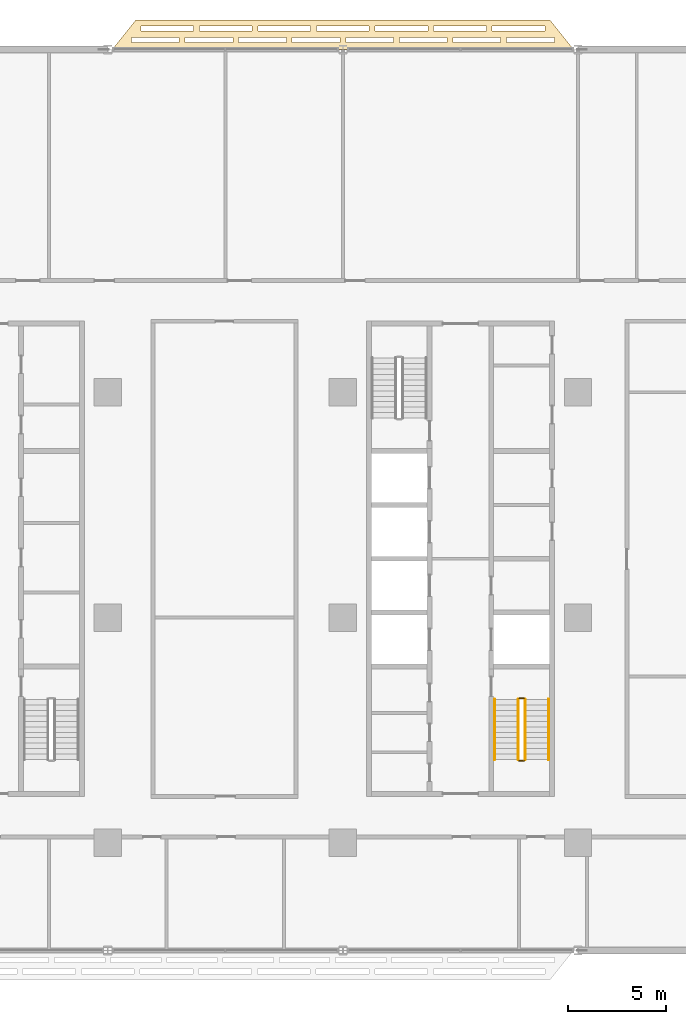
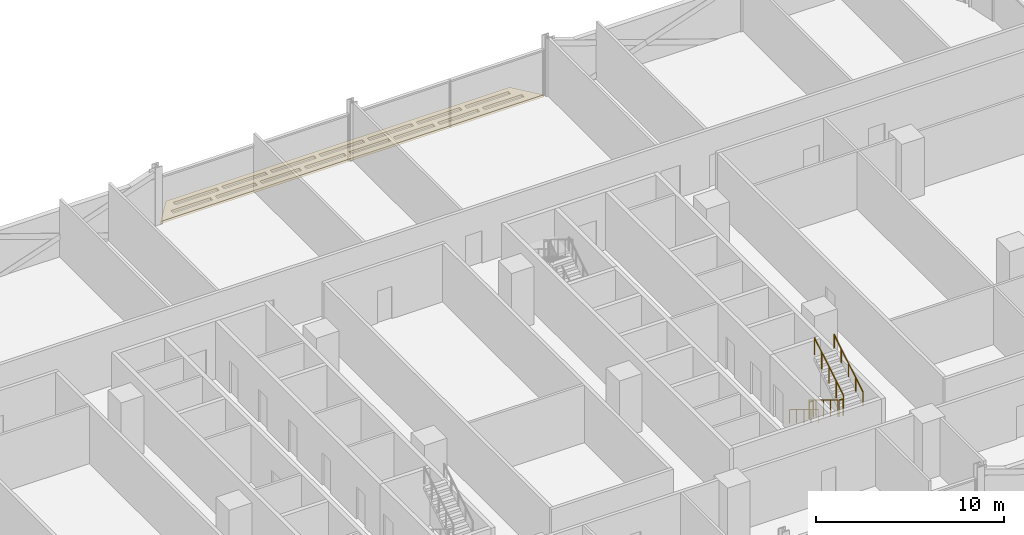
# One storey, part 28 of 29: 6 railings, 1 covering.
"""IFC4 building model written with IfcOpenShell, lengths in metres."""

from ifc_helpers import new_model, si_unit, direction, frame, origin, origin_2d, place, context, subcontext, project, spatial, polyline, circle, outline, extrude, material, layer, layer_set, type_object, element, save


model = new_model("IFC4")

# Units and contexts
model_context = context("Model", 3, precision=1e-05, world=origin(), true_north=direction((0.0, 1.0)))
body_context = subcontext(model_context, "Body", "Model", "MODEL_VIEW")
ifc_project = project(units=[si_unit("LENGTHUNIT", "METRE"), si_unit("AREAUNIT", "SQUARE_METRE"), si_unit("VOLUMEUNIT", "CUBIC_METRE"), si_unit("PLANEANGLEUNIT", "RADIAN"), si_unit("MASSUNIT", "GRAM", prefix="KILO")], contexts=[model_context])

# Site, building, storey
site_placement = place(None, origin())
site = spatial("IfcSite", under=ifc_project, at=site_placement, CompositionType="ELEMENT")
building_placement = place(site_placement, origin())
building = spatial("IfcBuilding", under=site, at=building_placement, Name="Mahtab Terrace Research Tower", CompositionType="ELEMENT")
storey_placement = place(building_placement, frame((0.0, 0.0, 88.89990234375)))
storey = spatial("IfcBuildingStorey", under=building, at=storey_placement, Name="L20", CompositionType="ELEMENT", Elevation=88.89990234375)

# Covering
ifc_material_1 = material(Name="Black anodised aluminium", Category="aluminium")
ifc_layer = layer(ifc_material_1, 0.14990234375)
ifc_layer_set = layer_set([ifc_layer], Name="Horizontal sunshade band")
covering_type = type_object("IfcCoveringType", Name="Horizontal sunshade band", PredefinedType="CLADDING", material=ifc_layer_set)
covering_placement = place(storey_placement, frame((0.0, 0.0, -0.14990234375)))
element("IfcCovering", 1, at=covering_placement, inside=storey, type_object=covering_type, Name="Sunshade band L20 5", PredefinedType="CLADDING", context=body_context, shape_type="SweptSolid", body=[
    extrude(outline(polyline([(29.77197265625, 29.0), (6.22802734375, 29.0), (7.427978515625, 30.5), (28.572021484375, 30.5), (29.77197265625, 29.0)]), holes=[polyline([(28.7919921875, 29.35009765625), (26.35595703125, 29.35009765625), (26.35595703125, 29.60009765625), (28.7919921875, 29.60009765625), (28.7919921875, 29.35009765625)]), polyline([(26.055908203125, 29.35009765625), (23.62109375, 29.35009765625), (23.62109375, 29.60009765625), (26.055908203125, 29.60009765625), (26.055908203125, 29.35009765625)]), polyline([(23.321044921875, 29.35009765625), (20.885009765625, 29.35009765625), (20.885009765625, 29.60009765625), (23.321044921875, 29.60009765625), (23.321044921875, 29.35009765625)]), polyline([(20.5849609375, 29.35009765625), (18.14990234375, 29.35009765625), (18.14990234375, 29.60009765625), (20.5849609375, 29.60009765625), (20.5849609375, 29.35009765625)]), polyline([(17.85009765625, 29.35009765625), (15.4150390625, 29.35009765625), (15.4150390625, 29.60009765625), (17.85009765625, 29.60009765625), (17.85009765625, 29.35009765625)]), polyline([(15.114013671875, 29.35009765625), (12.678955078125, 29.35009765625), (12.678955078125, 29.60009765625), (15.114013671875, 29.60009765625), (15.114013671875, 29.35009765625)]), polyline([(12.37890625, 29.35009765625), (9.944091796875, 29.35009765625), (9.944091796875, 29.60009765625), (12.37890625, 29.60009765625), (12.37890625, 29.35009765625)]), polyline([(9.64404296875, 29.35009765625), (7.2080078125, 29.35009765625), (7.2080078125, 29.60009765625), (9.64404296875, 29.60009765625), (9.64404296875, 29.35009765625)]), polyline([(28.31201171875, 29.949951171875), (25.623046875, 29.949951171875), (25.623046875, 30.199951171875), (28.31201171875, 30.199951171875), (28.31201171875, 29.949951171875)]), polyline([(25.322998046875, 29.949951171875), (22.634033203125, 29.949951171875), (22.634033203125, 30.199951171875), (25.322998046875, 30.199951171875), (25.322998046875, 29.949951171875)]), polyline([(22.333984375, 29.949951171875), (19.64501953125, 29.949951171875), (19.64501953125, 30.199951171875), (22.333984375, 30.199951171875), (22.333984375, 29.949951171875)]), polyline([(19.344970703125, 29.949951171875), (16.655029296875, 29.949951171875), (16.655029296875, 30.199951171875), (19.344970703125, 30.199951171875), (19.344970703125, 29.949951171875)]), polyline([(16.35498046875, 29.949951171875), (13.666015625, 29.949951171875), (13.666015625, 30.199951171875), (16.35498046875, 30.199951171875), (16.35498046875, 29.949951171875)]), polyline([(13.365966796875, 29.949951171875), (10.677001953125, 29.949951171875), (10.677001953125, 30.199951171875), (13.365966796875, 30.199951171875), (13.365966796875, 29.949951171875)]), polyline([(10.376953125, 29.949951171875), (7.68798828125, 29.949951171875), (7.68798828125, 30.199951171875), (10.376953125, 30.199951171875), (10.376953125, 29.949951171875)])]), origin(), (0.0, 0.0, 1.0), 0.14990234375),
])

# Railings
ifc_material_2 = material(Name="Stainless steel AISI 304", Category="steel")
railing_type_1 = type_object("IfcRailingType", Name="Stair guard 1100", PredefinedType="GUARDRAIL", material=ifc_material_2)
railing_1_placement = place(storey_placement, frame((26.949951171875, -4.175048828125, 0.1708984375)))
element("IfcRailing", 2, at=railing_1_placement, inside=storey, type_object=railing_type_1, Name="L20 ST4 stair guard 1", PredefinedType="GUARDRAIL", context=body_context, shape_type="SweptSolid", body=[
    extrude(circle(Radius=0.02392578125, at=origin_2d()), frame((0.0, 0.0, 1.076171875), z_axis=(0.0, -0.853647949592, 0.520850437417), x_axis=(1.0, 0.0, 0.0)), (0.0, 0.0, 1.0), 3.60791015625),
    extrude(circle(Radius=0.02099609375, at=origin_2d()), origin(), (0.0, 0.0, 1.0), 1.052001953125),
    extrude(circle(Radius=0.02099609375, at=origin_2d()), frame((0.0, -0.77001953125, 0.4697265625)), (0.0, 0.0, 1.0), 1.052001953125),
    extrude(circle(Radius=0.02099609375, at=origin_2d()), frame((0.0, -1.5400390625, 0.939453125)), (0.0, 0.0, 1.0), 1.052001953125),
    extrude(circle(Radius=0.02099609375, at=origin_2d()), frame((0.0, -2.309814453125, 1.409423828125)), (0.0, 0.0, 1.0), 1.052001953125),
    extrude(circle(Radius=0.02099609375, at=origin_2d()), frame((0.0, -3.079833984375, 1.879150390625)), (0.0, 0.0, 1.0), 1.052001953125),
])
railing_2_placement = place(storey_placement, frame((27.0, -7.304931640625, 2.050048828125)))
element("IfcRailing", 3, at=railing_2_placement, inside=storey, type_object=railing_type_1, Name="L20 ST4 stair guard 2", PredefinedType="GUARDRAIL", context=body_context, shape_type="SweptSolid", body=[
    extrude(circle(Radius=0.02392578125, at=origin_2d()), frame((0.0, 0.0, 1.076171875), z_axis=(1.0, 0.0, 0.0), x_axis=(0.0, 1.0, 0.0)), (0.0, 0.0, 1.0), 0.25),
    extrude(circle(Radius=0.02099609375, at=origin_2d()), origin(), (0.0, 0.0, 1.0), 1.052001953125),
    extrude(circle(Radius=0.02099609375, at=origin_2d()), frame((0.25, 0.0, 0.0)), (0.0, 0.0, 1.0), 1.052001953125),
])
railing_3_placement = place(storey_placement, frame((27.300048828125, -7.2548828125, 2.220947265625)))
element("IfcRailing", 4, at=railing_3_placement, inside=storey, type_object=railing_type_1, Name="L20 ST4 stair guard 3", PredefinedType="GUARDRAIL", context=body_context, shape_type="SweptSolid", body=[
    extrude(circle(Radius=0.02392578125, at=origin_2d()), frame((0.0, 0.0, 1.076171875), z_axis=(0.0, 0.853647949592, 0.520850437417), x_axis=(-1.0, 0.0, 0.0)), (0.0, 0.0, 1.0), 3.60791015625),
    extrude(circle(Radius=0.02099609375, at=origin_2d()), origin(), (0.0, 0.0, 1.0), 1.052001953125),
    extrude(circle(Radius=0.02099609375, at=origin_2d()), frame((0.0, 0.77001953125, 0.4697265625)), (0.0, 0.0, 1.0), 1.052001953125),
    extrude(circle(Radius=0.02099609375, at=origin_2d()), frame((0.0, 1.5400390625, 0.939453125)), (0.0, 0.0, 1.0), 1.052001953125),
    extrude(circle(Radius=0.02099609375, at=origin_2d()), frame((0.0, 2.309814453125, 1.409423828125)), (0.0, 0.0, 1.0), 1.052001953125),
    extrude(circle(Radius=0.02099609375, at=origin_2d()), frame((0.0, 3.079833984375, 1.879150390625)), (0.0, 0.0, 1.0), 1.052001953125),
])
railing_4_placement = place(storey_placement, frame((27.0, -4.125, 0.0)))
element("IfcRailing", 5, at=railing_4_placement, inside=storey, type_object=railing_type_1, Name="L20 ST4 stair guard 4", PredefinedType="GUARDRAIL", context=body_context, shape_type="SweptSolid", body=[
    extrude(circle(Radius=0.02392578125, at=origin_2d()), frame((0.0, 0.0, 1.076171875), z_axis=(1.0, 0.0, 0.0), x_axis=(0.0, 1.0, 0.0)), (0.0, 0.0, 1.0), 0.25),
    extrude(circle(Radius=0.02099609375, at=origin_2d()), origin(), (0.0, 0.0, 1.0), 1.052001953125),
    extrude(circle(Radius=0.02099609375, at=origin_2d()), frame((0.25, 0.0, 0.0)), (0.0, 0.0, 1.0), 1.052001953125),
])
railing_type_2 = type_object("IfcRailingType", Name="Stair handrail 900", PredefinedType="HANDRAIL", material=ifc_material_2)
railing_5_placement = place(storey_placement, frame((25.75, -4.175048828125, 0.1708984375)))
element("IfcRailing", 6, at=railing_5_placement, inside=storey, type_object=railing_type_2, Name="L20 ST4 stair handrail 1", PredefinedType="HANDRAIL", context=body_context, shape_type="SweptSolid", body=[
    extrude(circle(Radius=0.02392578125, at=origin_2d()), frame((0.0, 0.0, 0.8759765625), z_axis=(0.0, -0.853647949592, 0.520850437417), x_axis=(1.0, 0.0, 0.0)), (0.0, 0.0, 1.0), 3.60791015625),
    extrude(circle(Radius=0.02099609375, at=origin_2d()), origin(), (0.0, 0.0, 1.0), 0.851806640625),
    extrude(circle(Radius=0.02099609375, at=origin_2d()), frame((0.0, -0.77001953125, 0.4697265625)), (0.0, 0.0, 1.0), 0.851806640625),
    extrude(circle(Radius=0.02099609375, at=origin_2d()), frame((0.0, -1.5400390625, 0.939453125)), (0.0, 0.0, 1.0), 0.851806640625),
    extrude(circle(Radius=0.02099609375, at=origin_2d()), frame((0.0, -2.309814453125, 1.409423828125)), (0.0, 0.0, 1.0), 0.851806640625),
    extrude(circle(Radius=0.02099609375, at=origin_2d()), frame((0.0, -3.079833984375, 1.879150390625)), (0.0, 0.0, 1.0), 0.851806640625),
])
railing_6_placement = place(storey_placement, frame((28.5, -7.2548828125, 2.220947265625)))
element("IfcRailing", 7, at=railing_6_placement, inside=storey, type_object=railing_type_2, Name="L20 ST4 stair handrail 2", PredefinedType="HANDRAIL", context=body_context, shape_type="SweptSolid", body=[
    extrude(circle(Radius=0.02392578125, at=origin_2d()), frame((0.0, 0.0, 0.8759765625), z_axis=(0.0, 0.853647949592, 0.520850437417), x_axis=(-1.0, 0.0, 0.0)), (0.0, 0.0, 1.0), 3.60791015625),
    extrude(circle(Radius=0.02099609375, at=origin_2d()), origin(), (0.0, 0.0, 1.0), 0.851806640625),
    extrude(circle(Radius=0.02099609375, at=origin_2d()), frame((0.0, 0.77001953125, 0.4697265625)), (0.0, 0.0, 1.0), 0.851806640625),
    extrude(circle(Radius=0.02099609375, at=origin_2d()), frame((0.0, 1.5400390625, 0.939453125)), (0.0, 0.0, 1.0), 0.851806640625),
    extrude(circle(Radius=0.02099609375, at=origin_2d()), frame((0.0, 2.309814453125, 1.409423828125)), (0.0, 0.0, 1.0), 0.851806640625),
    extrude(circle(Radius=0.02099609375, at=origin_2d()), frame((0.0, 3.079833984375, 1.879150390625)), (0.0, 0.0, 1.0), 0.851806640625),
])

save(model, "model.ifc")
